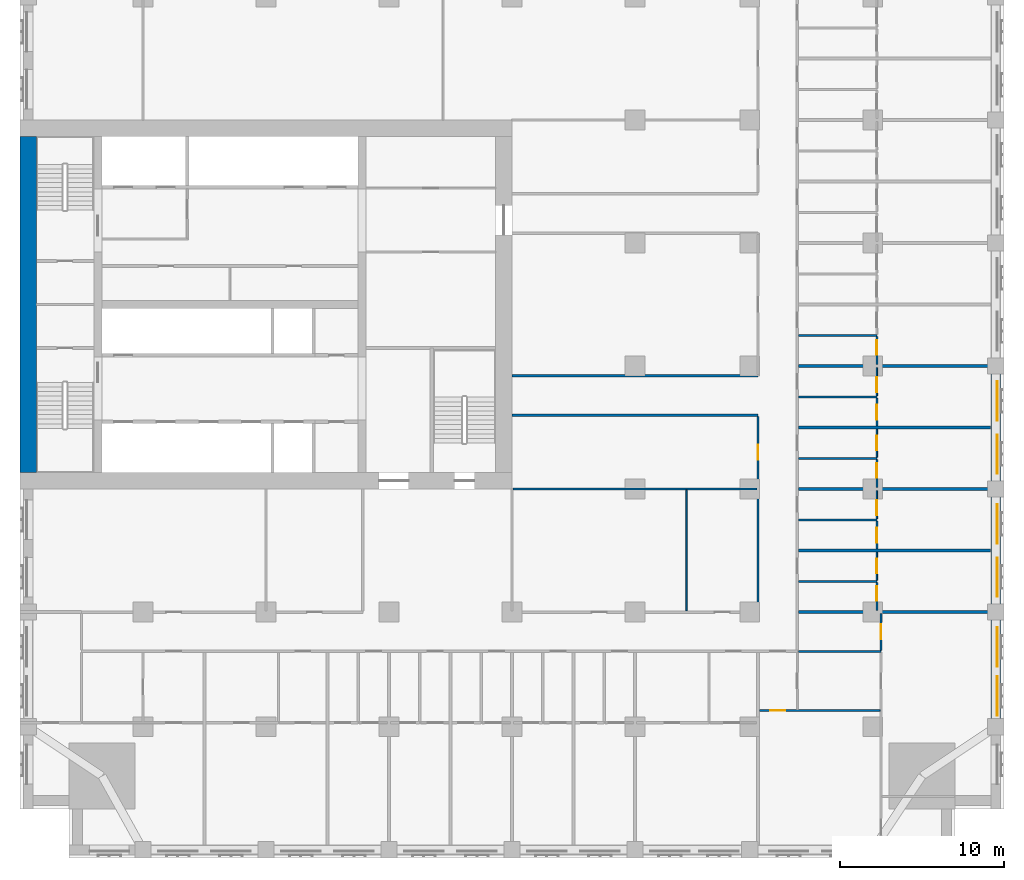
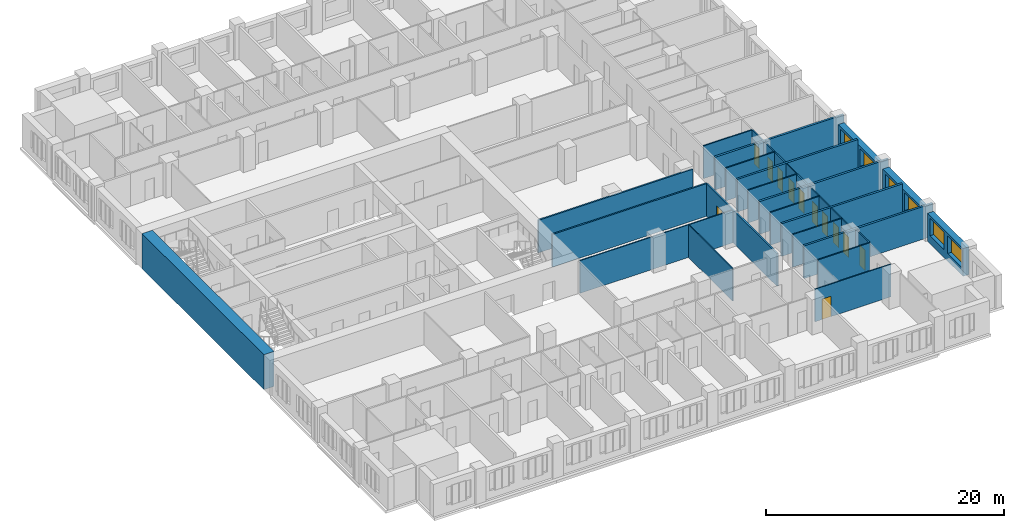
# One storey, part 7 of 15: 31 walls, 12 doors, 6 windows, 18 openings.
"""IFC4 building model written with IfcOpenShell, lengths in metres."""

from ifc_helpers import new_model, si_unit, direction, frame, frame_2d, origin, place, context, subcontext, project, spatial, rectangle, extrude, material, layer, layer_set, type_object, element, fill, save


model = new_model("IFC4")

# Units and contexts
model_context = context("Model", 3, precision=1e-05, world=origin(), true_north=direction((0.0, 1.0)))
body_context = subcontext(model_context, "Body", "Model", "MODEL_VIEW")
ifc_project = project(units=[si_unit("LENGTHUNIT", "METRE"), si_unit("AREAUNIT", "SQUARE_METRE"), si_unit("VOLUMEUNIT", "CUBIC_METRE"), si_unit("PLANEANGLEUNIT", "RADIAN"), si_unit("MASSUNIT", "GRAM", prefix="KILO")], contexts=[model_context])

# Site, building, storey
site_placement = place(None, origin())
site = spatial("IfcSite", under=ifc_project, at=site_placement, CompositionType="ELEMENT")
building_placement = place(site_placement, origin())
building = spatial("IfcBuilding", under=site, at=building_placement, Name="Tamorin Gate", CompositionType="ELEMENT")
storey_placement = place(building_placement, frame((0.0, 0.0, 62.800048828125)))
storey = spatial("IfcBuildingStorey", under=building, at=storey_placement, Name="L14", CompositionType="ELEMENT", Elevation=62.800048828125)

# Wall, openings, windows
ifc_material_1 = material(Name="Precast concrete C40/50", Category="concrete")
ifc_layer_1 = layer(ifc_material_1, 0.60009765625)
ifc_layer_set_1 = layer_set([ifc_layer_1], Name="Precast concrete C40/50")
wall_type_1 = type_object("IfcWallType", Name="Board-marked concrete facade panel 600", PredefinedType="SOLIDWALL", material=ifc_layer_set_1)
wall_1_placement = place(storey_placement, frame((89.5, 46.0, 0.0), z_axis=(0.0, 0.0, 1.0), x_axis=(0.0, 1.0, 0.0)))
wall_1 = element("IfcWall", 1, at=wall_1_placement, inside=storey, type_object=wall_type_1, Name="Facade panel", PredefinedType="SOLIDWALL", context=body_context, shape_type="SweptSolid", body=[
    extrude(rectangle(XDim=6.0, YDim=0.60009765625, at=frame_2d((3.0, 0.0))), origin(), (0.0, 0.0, 1.0), 2.849853515625),
])
opening_1_placement = place(wall_1_placement, frame((0.175048828125, 0.0, 0.800048828125)))
opening_1 = element("IfcOpeningElement", 2, at=opening_1_placement, cuts=wall_1, Name="Opening WN1", PredefinedType="OPENING", context=body_context, shape_type="SweptSolid", body=[
    extrude(rectangle(XDim=2.39990234375, YDim=1.800048828125, at=frame_2d((1.199951171875, 0.89990234375))), frame((0.0, 0.31005859375, 0.0), z_axis=(0.0, -1.0, 0.0), x_axis=(1.0, 0.0, 0.0)), (0.0, 0.0, 1.0), 0.6201171875),
])
opening_2_placement = place(wall_1_placement, frame((3.175048828125, 0.0, 0.800048828125)))
opening_2 = element("IfcOpeningElement", 3, at=opening_2_placement, cuts=wall_1, Name="Opening WN1", PredefinedType="OPENING", context=body_context, shape_type="SweptSolid", body=[
    extrude(rectangle(XDim=2.39990234375, YDim=1.800048828125, at=frame_2d((1.199951171875, 0.89990234375))), frame((0.0, 0.31005859375, 0.0), z_axis=(0.0, -1.0, 0.0), x_axis=(1.0, 0.0, 0.0)), (0.0, 0.0, 1.0), 0.6201171875),
])
ifc_material_2 = material(Name="Clear glass in aluminium frame", Category="aluminium")
window_type = type_object("IfcWindowType", Name="Deep-set window 2400x1800", PartitioningType="SINGLE_PANEL", PredefinedType="WINDOW", material=ifc_material_2)
window_1_placement = place(opening_1_placement, origin())
window_1 = element("IfcWindow", 4, at=window_1_placement, inside=storey, type_object=window_type, Name="Deep-set window", OverallHeight=1.800048828125, OverallWidth=2.39990234375, PartitioningType="SINGLE_PANEL", PredefinedType="WINDOW", context=body_context, shape_type="SweptSolid", body=[
    extrude(rectangle(XDim=2.39990234375, YDim=1.800048828125, at=frame_2d((1.199951171875, 0.89990234375))), frame((0.0, -0.070068359375, 0.0), z_axis=(0.0, -1.0, 0.0), x_axis=(1.0, 0.0, 0.0)), (0.0, 0.0, 1.0), 0.06005859375),
])
fill(opening_1, window_1)
window_2_placement = place(opening_2_placement, origin())
window_2 = element("IfcWindow", 5, at=window_2_placement, inside=storey, type_object=window_type, Name="Deep-set window", OverallHeight=1.800048828125, OverallWidth=2.39990234375, PartitioningType="SINGLE_PANEL", PredefinedType="WINDOW", context=body_context, shape_type="SweptSolid", body=[
    extrude(rectangle(XDim=2.39990234375, YDim=1.800048828125, at=frame_2d((1.199951171875, 0.89990234375))), frame((0.0, -0.070068359375, 0.0), z_axis=(0.0, -1.0, 0.0), x_axis=(1.0, 0.0, 0.0)), (0.0, 0.0, 1.0), 0.06005859375),
])
fill(opening_2, window_2)

wall_2_placement = place(storey_placement, frame((89.5, 53.0, 0.0), z_axis=(0.0, 0.0, 1.0), x_axis=(0.0, 1.0, 0.0)))
wall_2 = element("IfcWall", 6, at=wall_2_placement, inside=storey, type_object=wall_type_1, Name="Facade panel", PredefinedType="SOLIDWALL", context=body_context, shape_type="SweptSolid", body=[
    extrude(rectangle(XDim=6.5, YDim=0.60009765625, at=frame_2d((3.25, 0.0))), origin(), (0.0, 0.0, 1.0), 2.849853515625),
])
opening_3_placement = place(wall_2_placement, frame((0.425048828125, 0.0, 0.800048828125)))
opening_3 = element("IfcOpeningElement", 7, at=opening_3_placement, cuts=wall_2, Name="Opening WN1", PredefinedType="OPENING", context=body_context, shape_type="SweptSolid", body=[
    extrude(rectangle(XDim=2.39990234375, YDim=1.800048828125, at=frame_2d((1.199951171875, 0.89990234375))), frame((0.0, 0.31005859375, 0.0), z_axis=(0.0, -1.0, 0.0), x_axis=(1.0, 0.0, 0.0)), (0.0, 0.0, 1.0), 0.6201171875),
])
opening_4_placement = place(wall_2_placement, frame((3.675048828125, 0.0, 0.800048828125)))
opening_4 = element("IfcOpeningElement", 8, at=opening_4_placement, cuts=wall_2, Name="Opening WN1", PredefinedType="OPENING", context=body_context, shape_type="SweptSolid", body=[
    extrude(rectangle(XDim=2.39990234375, YDim=1.800048828125, at=frame_2d((1.199951171875, 0.89990234375))), frame((0.0, 0.31005859375, 0.0), z_axis=(0.0, -1.0, 0.0), x_axis=(1.0, 0.0, 0.0)), (0.0, 0.0, 1.0), 0.6201171875),
])
window_3_placement = place(opening_3_placement, origin())
window_3 = element("IfcWindow", 9, at=window_3_placement, inside=storey, type_object=window_type, Name="Deep-set window", OverallHeight=1.800048828125, OverallWidth=2.39990234375, PartitioningType="SINGLE_PANEL", PredefinedType="WINDOW", context=body_context, shape_type="SweptSolid", body=[
    extrude(rectangle(XDim=2.39990234375, YDim=1.800048828125, at=frame_2d((1.199951171875, 0.89990234375))), frame((0.0, -0.070068359375, 0.0), z_axis=(0.0, -1.0, 0.0), x_axis=(1.0, 0.0, 0.0)), (0.0, 0.0, 1.0), 0.06005859375),
])
fill(opening_3, window_3)
window_4_placement = place(opening_4_placement, origin())
window_4 = element("IfcWindow", 10, at=window_4_placement, inside=storey, type_object=window_type, Name="Deep-set window", OverallHeight=1.800048828125, OverallWidth=2.39990234375, PartitioningType="SINGLE_PANEL", PredefinedType="WINDOW", context=body_context, shape_type="SweptSolid", body=[
    extrude(rectangle(XDim=2.39990234375, YDim=1.800048828125, at=frame_2d((1.199951171875, 0.89990234375))), frame((0.0, -0.070068359375, 0.0), z_axis=(0.0, -1.0, 0.0), x_axis=(1.0, 0.0, 0.0)), (0.0, 0.0, 1.0), 0.06005859375),
])
fill(opening_4, window_4)

wall_3_placement = place(storey_placement, frame((89.5, 60.5, 0.0), z_axis=(0.0, 0.0, 1.0), x_axis=(0.0, 1.0, 0.0)))
wall_3 = element("IfcWall", 11, at=wall_3_placement, inside=storey, type_object=wall_type_1, Name="Facade panel", PredefinedType="SOLIDWALL", context=body_context, shape_type="SweptSolid", body=[
    extrude(rectangle(XDim=6.5, YDim=0.60009765625, at=frame_2d((3.25, 0.0))), origin(), (0.0, 0.0, 1.0), 2.849853515625),
])
opening_5_placement = place(wall_3_placement, frame((0.425048828125, 0.0, 0.800048828125)))
opening_5 = element("IfcOpeningElement", 12, at=opening_5_placement, cuts=wall_3, Name="Opening WN1", PredefinedType="OPENING", context=body_context, shape_type="SweptSolid", body=[
    extrude(rectangle(XDim=2.39990234375, YDim=1.800048828125, at=frame_2d((1.199951171875, 0.89990234375))), frame((0.0, 0.31005859375, 0.0), z_axis=(0.0, -1.0, 0.0), x_axis=(1.0, 0.0, 0.0)), (0.0, 0.0, 1.0), 0.6201171875),
])
opening_6_placement = place(wall_3_placement, frame((3.675048828125, 0.0, 0.800048828125)))
opening_6 = element("IfcOpeningElement", 13, at=opening_6_placement, cuts=wall_3, Name="Opening WN1", PredefinedType="OPENING", context=body_context, shape_type="SweptSolid", body=[
    extrude(rectangle(XDim=2.39990234375, YDim=1.800048828125, at=frame_2d((1.199951171875, 0.89990234375))), frame((0.0, 0.31005859375, 0.0), z_axis=(0.0, -1.0, 0.0), x_axis=(1.0, 0.0, 0.0)), (0.0, 0.0, 1.0), 0.6201171875),
])
window_5_placement = place(opening_5_placement, origin())
window_5 = element("IfcWindow", 14, at=window_5_placement, inside=storey, type_object=window_type, Name="Deep-set window", OverallHeight=1.800048828125, OverallWidth=2.39990234375, PartitioningType="SINGLE_PANEL", PredefinedType="WINDOW", context=body_context, shape_type="SweptSolid", body=[
    extrude(rectangle(XDim=2.39990234375, YDim=1.800048828125, at=frame_2d((1.199951171875, 0.89990234375))), frame((0.0, -0.070068359375, 0.0), z_axis=(0.0, -1.0, 0.0), x_axis=(1.0, 0.0, 0.0)), (0.0, 0.0, 1.0), 0.06005859375),
])
fill(opening_5, window_5)
window_6_placement = place(opening_6_placement, origin())
window_6 = element("IfcWindow", 15, at=window_6_placement, inside=storey, type_object=window_type, Name="Deep-set window", OverallHeight=1.800048828125, OverallWidth=2.39990234375, PartitioningType="SINGLE_PANEL", PredefinedType="WINDOW", context=body_context, shape_type="SweptSolid", body=[
    extrude(rectangle(XDim=2.39990234375, YDim=1.800048828125, at=frame_2d((1.199951171875, 0.89990234375))), frame((0.0, -0.070068359375, 0.0), z_axis=(0.0, -1.0, 0.0), x_axis=(1.0, 0.0, 0.0)), (0.0, 0.0, 1.0), 0.06005859375),
])
fill(opening_6, window_6)

# Wall, opening, door
ifc_material_3 = material(Name="Gypsum board partition")
ifc_layer_2 = layer(ifc_material_3, 0.14990234375)
ifc_layer_set_2 = layer_set([ifc_layer_2], Name="Corridor wall 150")
wall_type_2 = type_object("IfcWallType", Name="Corridor wall 150", PredefinedType="PARTITIONING", material=ifc_layer_set_2)
wall_4_placement = place(storey_placement, frame((75.0, 52.574951171875, 0.0), z_axis=(0.0, 0.0, 1.0), x_axis=(0.0, 1.0, 0.0)))
wall_4 = element("IfcWall", 16, at=wall_4_placement, inside=storey, type_object=wall_type_2, Name="Corridor wall 150", PredefinedType="PARTITIONING", context=body_context, shape_type="SweptSolid", body=[
    extrude(rectangle(XDim=11.85009765625, YDim=0.14990234375, at=frame_2d((5.925048828125, 0.0))), origin(), (0.0, 0.0, 1.0), 3.349853515625),
])
opening_7_placement = place(wall_4_placement, frame((9.22509765625, 0.0, 0.0)))
opening_7 = element("IfcOpeningElement", 17, at=opening_7_placement, cuts=wall_4, Name="Opening DH1100", PredefinedType="OPENING", context=body_context, shape_type="SweptSolid", body=[
    extrude(rectangle(XDim=0.89990234375, YDim=2.10009765625, at=frame_2d((0.449951171875, 1.050048828125))), frame((0.0, 0.0849609375, 0.0), z_axis=(0.0, -1.0, 0.0), x_axis=(1.0, 0.0, 0.0)), (0.0, 0.0, 1.0), 0.169921875),
])
ifc_material_4 = material(Name="Timber door leaf", Category="wood")
door_type_1 = type_object("IfcDoorType", Name="Door 900 x 2100 FD30S", OperationType="NOTDEFINED", PredefinedType="DOOR", material=ifc_material_4)
door_1_placement = place(opening_7_placement, origin())
door_1 = element("IfcDoor", 18, at=door_1_placement, inside=storey, type_object=door_type_1, Name="Door DH1100", OperationType="SINGLE_SWING_LEFT", OverallHeight=2.10009765625, OverallWidth=0.89990234375, PredefinedType="DOOR", context=body_context, shape_type="SweptSolid", body=[
    extrude(rectangle(XDim=0.89990234375, YDim=2.10009765625, at=frame_2d((0.449951171875, 1.050048828125))), frame((0.0, 0.02490234375, 0.0), z_axis=(0.0, -1.0, 0.0), x_axis=(1.0, 0.0, 0.0)), (0.0, 0.0, 1.0), 0.050048828125),
])
fill(opening_7, door_1)

# Walls
ifc_layer_3 = layer(ifc_material_3, 0.199951171875)
ifc_layer_set_3 = layer_set([ifc_layer_3], Name="Demising wall 200")
wall_type_3 = type_object("IfcWallType", Name="Demising wall 200", PredefinedType="PARTITIONING", material=ifc_layer_set_3)
wall_5_placement = place(storey_placement, frame((77.47509765625, 52.5, 0.0), z_axis=(0.0, 0.0, 1.0), x_axis=(1.0, 0.0, 0.0)))
element("IfcWall", 19, at=wall_5_placement, inside=storey, type_object=wall_type_3, Name="Demising wall 200", PredefinedType="PARTITIONING", context=body_context, shape_type="SweptSolid", body=[
    extrude(rectangle(XDim=12.52490234375, YDim=0.199951171875, at=frame_2d((6.262451171875, 0.0))), origin(), (0.0, 0.0, 1.0), 3.349853515625),
])
wall_6_placement = place(storey_placement, frame((77.47509765625, 56.25, 0.0), z_axis=(0.0, 0.0, 1.0), x_axis=(1.0, 0.0, 0.0)))
element("IfcWall", 20, at=wall_6_placement, inside=storey, type_object=wall_type_3, Name="Demising wall 200", PredefinedType="PARTITIONING", context=body_context, shape_type="SweptSolid", body=[
    extrude(rectangle(XDim=11.71484375, YDim=0.199951171875, at=frame_2d((5.857421875, 0.0))), origin(), (0.0, 0.0, 1.0), 3.349853515625),
])
wall_7_placement = place(storey_placement, frame((77.47509765625, 60.0, 0.0), z_axis=(0.0, 0.0, 1.0), x_axis=(1.0, 0.0, 0.0)))
element("IfcWall", 21, at=wall_7_placement, inside=storey, type_object=wall_type_3, Name="Demising wall 200", PredefinedType="PARTITIONING", context=body_context, shape_type="SweptSolid", body=[
    extrude(rectangle(XDim=12.52490234375, YDim=0.199951171875, at=frame_2d((6.262451171875, 0.0))), origin(), (0.0, 0.0, 1.0), 3.349853515625),
])
wall_8_placement = place(storey_placement, frame((77.47509765625, 63.75, 0.0), z_axis=(0.0, 0.0, 1.0), x_axis=(1.0, 0.0, 0.0)))
element("IfcWall", 22, at=wall_8_placement, inside=storey, type_object=wall_type_3, Name="Demising wall 200", PredefinedType="PARTITIONING", context=body_context, shape_type="SweptSolid", body=[
    extrude(rectangle(XDim=11.71484375, YDim=0.199951171875, at=frame_2d((5.857421875, 0.0))), origin(), (0.0, 0.0, 1.0), 3.349853515625),
])
wall_9_placement = place(storey_placement, frame((77.47509765625, 67.5, 0.0), z_axis=(0.0, 0.0, 1.0), x_axis=(1.0, 0.0, 0.0)))
element("IfcWall", 23, at=wall_9_placement, inside=storey, type_object=wall_type_3, Name="Demising wall 200", PredefinedType="PARTITIONING", context=body_context, shape_type="SweptSolid", body=[
    extrude(rectangle(XDim=12.52490234375, YDim=0.199951171875, at=frame_2d((6.262451171875, 0.0))), origin(), (0.0, 0.0, 1.0), 3.349853515625),
])
ifc_layer_4 = layer(ifc_material_3, 0.14990234375)
ifc_layer_set_4 = layer_set([ifc_layer_4], Name="Lobby wall 150")
wall_type_4 = type_object("IfcWallType", Name="Lobby wall 150", PredefinedType="PARTITIONING", material=ifc_layer_set_4)
for number, where, z_axis, x_axis, name in (
    (24, (60.0, 64.5, 0.0), (0.0, 0.0, 1.0), (1.0, 0.0, 0.0), "Lobby wall 150"),
    (25, (60.0, 66.89990234375, 0.0), (0.0, 0.0, 1.0), (1.0, 0.0, 0.0), "Lobby wall 150"),
):
    element("IfcWall", number, at=place(storey_placement, frame(where, z_axis=z_axis, x_axis=x_axis)), inside=storey, type_object=wall_type_4, Name=name, PredefinedType="PARTITIONING", context=body_context, shape_type="SweptSolid", body=[
        extrude(rectangle(XDim=15.0, YDim=0.14990234375, at=frame_2d((7.5, 0.0))), origin(), (0.0, 0.0, 1.0), 3.349853515625),
    ])
ifc_material_5 = material(Name="Concrete C80/95", Category="concrete")
ifc_layer_5 = layer(ifc_material_5, 1.0)
ifc_layer_set_5 = layer_set([ifc_layer_5], Name="RC core wall 1000 C80/95")
wall_type_5 = type_object("IfcWallType", Name="RC core wall 1000 C80/95", PredefinedType="SHEAR", material=ifc_layer_set_5)
wall_10_placement = place(storey_placement, frame((30.5, 61.0, 0.0), z_axis=(0.0, 0.0, 1.0), x_axis=(0.0, 1.0, 0.0)))
element("IfcWall", 26, at=wall_10_placement, inside=storey, type_object=wall_type_5, Name="Core wall L14", PredefinedType="SHEAR", context=body_context, shape_type="SweptSolid", body=[
    extrude(rectangle(XDim=20.5, YDim=1.0, at=frame_2d((10.25, 0.0))), origin(), (0.0, 0.0, 1.0), 3.599853515625),
])

# Wall, opening, door
ifc_layer_6 = layer(ifc_material_3, 0.10009765625)
ifc_layer_set_6 = layer_set([ifc_layer_6], Name="Room partition 100")
wall_type_6 = type_object("IfcWallType", Name="Room partition 100", PredefinedType="PARTITIONING", material=ifc_layer_set_6)
wall_11_placement = place(storey_placement, frame((75.10009765625, 46.5, 0.0), z_axis=(0.0, 0.0, 1.0), x_axis=(1.0, 0.0, 0.0)))
wall_11 = element("IfcWall", 27, at=wall_11_placement, inside=storey, type_object=wall_type_6, Name="Room partition 100", PredefinedType="PARTITIONING", context=body_context, shape_type="SweptSolid", body=[
    extrude(rectangle(XDim=7.349853515625, YDim=0.10009765625, at=frame_2d((3.6748046875, 0.0))), origin(), (0.0, 0.0, 1.0), 3.349853515625),
])
opening_8_placement = place(wall_11_placement, frame((0.64990234375, 0.0, 0.0)))
opening_8 = element("IfcOpeningElement", 28, at=opening_8_placement, cuts=wall_11, Name="Opening DH1082", PredefinedType="OPENING", context=body_context, shape_type="SweptSolid", body=[
    extrude(rectangle(XDim=0.89990234375, YDim=2.10009765625, at=frame_2d((0.449951171875, 1.050048828125))), frame((0.0, 0.06005859375, 0.0), z_axis=(0.0, -1.0, 0.0), x_axis=(1.0, 0.0, 0.0)), (0.0, 0.0, 1.0), 0.1201171875),
])
door_type_2 = type_object("IfcDoorType", Name="Door 900 x 2100", OperationType="NOTDEFINED", PredefinedType="DOOR", material=ifc_material_4)
door_2_placement = place(opening_8_placement, origin())
door_2 = element("IfcDoor", 29, at=door_2_placement, inside=storey, type_object=door_type_2, Name="Door DH1082", OperationType="SINGLE_SWING_RIGHT", OverallHeight=2.10009765625, OverallWidth=0.89990234375, PredefinedType="DOOR", context=body_context, shape_type="SweptSolid", body=[
    extrude(rectangle(XDim=0.89990234375, YDim=2.10009765625, at=frame_2d((0.449951171875, 1.050048828125))), frame((0.0, 0.02490234375, 0.0), z_axis=(0.0, -1.0, 0.0), x_axis=(1.0, 0.0, 0.0)), (0.0, 0.0, 1.0), 0.050048828125),
])
fill(opening_8, door_2)

# Walls
wall_12_placement = place(storey_placement, frame((60.074951171875, 60.0, 0.0), z_axis=(0.0, 0.0, 1.0), x_axis=(1.0, 0.0, 0.0)))
element("IfcWall", 30, at=wall_12_placement, inside=storey, type_object=wall_type_6, Name="Room partition 100", PredefinedType="PARTITIONING", context=body_context, shape_type="SweptSolid", body=[
    extrude(rectangle(XDim=14.85009765625, YDim=0.10009765625, at=frame_2d((7.425048828125, 0.0))), origin(), (0.0, 0.0, 1.0), 3.349853515625),
])
wall_13_placement = place(storey_placement, frame((70.64990234375, 52.574951171875, 0.0), z_axis=(0.0, 0.0, 1.0), x_axis=(0.0, 1.0, 0.0)))
element("IfcWall", 31, at=wall_13_placement, inside=storey, type_object=wall_type_6, Name="Room partition 100", PredefinedType="PARTITIONING", context=body_context, shape_type="SweptSolid", body=[
    extrude(rectangle(XDim=7.375, YDim=0.10009765625, at=frame_2d((3.6875, 0.0))), origin(), (0.0, 0.0, 1.0), 3.349853515625),
])

# Wall, opening, door
wall_14_placement = place(storey_placement, frame((82.25, 54.4375, 0.0), z_axis=(0.0, 0.0, 1.0), x_axis=(0.0, 1.0, 0.0)))
wall_14 = element("IfcWall", 32, at=wall_14_placement, inside=storey, type_object=wall_type_6, Name="Room partition 100", PredefinedType="PARTITIONING", context=body_context, shape_type="SweptSolid", body=[
    extrude(rectangle(XDim=1.71240234375, YDim=0.10009765625, at=frame_2d((0.856201171875, 0.0))), origin(), (0.0, 0.0, 1.0), 3.349853515625),
])
opening_9_placement = place(wall_14_placement, frame((0.425048828125, 0.0, 0.0)))
opening_9 = element("IfcOpeningElement", 33, at=opening_9_placement, cuts=wall_14, Name="Opening DH1053", PredefinedType="OPENING", context=body_context, shape_type="SweptSolid", body=[
    extrude(rectangle(XDim=0.89990234375, YDim=2.10009765625, at=frame_2d((0.449951171875, 1.050048828125))), frame((0.0, 0.06005859375, 0.0), z_axis=(0.0, -1.0, 0.0), x_axis=(1.0, 0.0, 0.0)), (0.0, 0.0, 1.0), 0.1201171875),
])
door_3_placement = place(opening_9_placement, origin())
door_3 = element("IfcDoor", 34, at=door_3_placement, inside=storey, type_object=door_type_2, Name="Door DH1053", OperationType="SINGLE_SWING_LEFT", OverallHeight=2.10009765625, OverallWidth=0.89990234375, PredefinedType="DOOR", context=body_context, shape_type="SweptSolid", body=[
    extrude(rectangle(XDim=0.89990234375, YDim=2.10009765625, at=frame_2d((0.449951171875, 1.050048828125))), frame((0.0, 0.02490234375, 0.0), z_axis=(0.0, -1.0, 0.0), x_axis=(1.0, 0.0, 0.0)), (0.0, 0.0, 1.0), 0.050048828125),
])
fill(opening_9, door_3)

wall_15_placement = place(storey_placement, frame((82.25, 58.1875, 0.0), z_axis=(0.0, 0.0, 1.0), x_axis=(0.0, 1.0, 0.0)))
wall_15 = element("IfcWall", 35, at=wall_15_placement, inside=storey, type_object=wall_type_6, Name="Room partition 100", PredefinedType="PARTITIONING", context=body_context, shape_type="SweptSolid", body=[
    extrude(rectangle(XDim=1.71240234375, YDim=0.10009765625, at=frame_2d((0.856201171875, 0.0))), origin(), (0.0, 0.0, 1.0), 3.349853515625),
])
opening_10_placement = place(wall_15_placement, frame((0.22509765625, 0.0, 0.0)))
opening_10 = element("IfcOpeningElement", 36, at=opening_10_placement, cuts=wall_15, Name="Opening DH1056", PredefinedType="OPENING", context=body_context, shape_type="SweptSolid", body=[
    extrude(rectangle(XDim=0.89990234375, YDim=2.10009765625, at=frame_2d((0.449951171875, 1.050048828125))), frame((0.0, 0.06005859375, 0.0), z_axis=(0.0, -1.0, 0.0), x_axis=(1.0, 0.0, 0.0)), (0.0, 0.0, 1.0), 0.1201171875),
])
door_4_placement = place(opening_10_placement, origin())
door_4 = element("IfcDoor", 37, at=door_4_placement, inside=storey, type_object=door_type_2, Name="Door DH1056", OperationType="SINGLE_SWING_LEFT", OverallHeight=2.10009765625, OverallWidth=0.89990234375, PredefinedType="DOOR", context=body_context, shape_type="SweptSolid", body=[
    extrude(rectangle(XDim=0.89990234375, YDim=2.10009765625, at=frame_2d((0.449951171875, 1.050048828125))), frame((0.0, 0.02490234375, 0.0), z_axis=(0.0, -1.0, 0.0), x_axis=(1.0, 0.0, 0.0)), (0.0, 0.0, 1.0), 0.050048828125),
])
fill(opening_10, door_4)

wall_16_placement = place(storey_placement, frame((82.25, 61.9375, 0.0), z_axis=(0.0, 0.0, 1.0), x_axis=(0.0, 1.0, 0.0)))
wall_16 = element("IfcWall", 38, at=wall_16_placement, inside=storey, type_object=wall_type_6, Name="Room partition 100", PredefinedType="PARTITIONING", context=body_context, shape_type="SweptSolid", body=[
    extrude(rectangle(XDim=1.71240234375, YDim=0.10009765625, at=frame_2d((0.856201171875, 0.0))), origin(), (0.0, 0.0, 1.0), 3.349853515625),
])
opening_11_placement = place(wall_16_placement, frame((0.425048828125, 0.0, 0.0)))
opening_11 = element("IfcOpeningElement", 39, at=opening_11_placement, cuts=wall_16, Name="Opening DH1059", PredefinedType="OPENING", context=body_context, shape_type="SweptSolid", body=[
    extrude(rectangle(XDim=0.89990234375, YDim=2.10009765625, at=frame_2d((0.449951171875, 1.050048828125))), frame((0.0, 0.06005859375, 0.0), z_axis=(0.0, -1.0, 0.0), x_axis=(1.0, 0.0, 0.0)), (0.0, 0.0, 1.0), 0.1201171875),
])
door_5_placement = place(opening_11_placement, origin())
door_5 = element("IfcDoor", 40, at=door_5_placement, inside=storey, type_object=door_type_2, Name="Door DH1059", OperationType="SINGLE_SWING_LEFT", OverallHeight=2.10009765625, OverallWidth=0.89990234375, PredefinedType="DOOR", context=body_context, shape_type="SweptSolid", body=[
    extrude(rectangle(XDim=0.89990234375, YDim=2.10009765625, at=frame_2d((0.449951171875, 1.050048828125))), frame((0.0, 0.02490234375, 0.0), z_axis=(0.0, -1.0, 0.0), x_axis=(1.0, 0.0, 0.0)), (0.0, 0.0, 1.0), 0.050048828125),
])
fill(opening_11, door_5)

wall_17_placement = place(storey_placement, frame((82.25, 65.6875, 0.0), z_axis=(0.0, 0.0, 1.0), x_axis=(0.0, 1.0, 0.0)))
wall_17 = element("IfcWall", 41, at=wall_17_placement, inside=storey, type_object=wall_type_6, Name="Room partition 100", PredefinedType="PARTITIONING", context=body_context, shape_type="SweptSolid", body=[
    extrude(rectangle(XDim=1.71240234375, YDim=0.10009765625, at=frame_2d((0.856201171875, 0.0))), origin(), (0.0, 0.0, 1.0), 3.349853515625),
])
opening_12_placement = place(wall_17_placement, frame((0.22509765625, 0.0, 0.0)))
opening_12 = element("IfcOpeningElement", 42, at=opening_12_placement, cuts=wall_17, Name="Opening DH1062", PredefinedType="OPENING", context=body_context, shape_type="SweptSolid", body=[
    extrude(rectangle(XDim=0.89990234375, YDim=2.10009765625, at=frame_2d((0.449951171875, 1.050048828125))), frame((0.0, 0.06005859375, 0.0), z_axis=(0.0, -1.0, 0.0), x_axis=(1.0, 0.0, 0.0)), (0.0, 0.0, 1.0), 0.1201171875),
])
door_6_placement = place(opening_12_placement, origin())
door_6 = element("IfcDoor", 43, at=door_6_placement, inside=storey, type_object=door_type_2, Name="Door DH1062", OperationType="SINGLE_SWING_LEFT", OverallHeight=2.10009765625, OverallWidth=0.89990234375, PredefinedType="DOOR", context=body_context, shape_type="SweptSolid", body=[
    extrude(rectangle(XDim=0.89990234375, YDim=2.10009765625, at=frame_2d((0.449951171875, 1.050048828125))), frame((0.0, 0.02490234375, 0.0), z_axis=(0.0, -1.0, 0.0), x_axis=(1.0, 0.0, 0.0)), (0.0, 0.0, 1.0), 0.050048828125),
])
fill(opening_12, door_6)

# Walls
ifc_layer_7 = layer(ifc_material_3, 0.125)
ifc_layer_set_7 = layer_set([ifc_layer_7], Name="Wet wall 125")
wall_type_7 = type_object("IfcWallType", Name="Wet wall 125", PredefinedType="PARTITIONING", material=ifc_layer_set_7)
wall_18_placement = place(storey_placement, frame((77.47509765625, 50.10009765625, 0.0), z_axis=(0.0, 0.0, 1.0), x_axis=(1.0, 0.0, 0.0)))
element("IfcWall", 44, at=wall_18_placement, inside=storey, type_object=wall_type_7, Name="Wet wall 125", PredefinedType="PARTITIONING", context=body_context, shape_type="SweptSolid", body=[
    extrude(rectangle(XDim=5.02490234375, YDim=0.125, at=frame_2d((2.512451171875, 0.0))), origin(), (0.0, 0.0, 1.0), 3.349853515625),
])
for number, where, z_axis, x_axis, name in (
    (45, (77.47509765625, 54.375, 0.0), (0.0, 0.0, 1.0), (1.0, 0.0, 0.0), "Wet wall 125"),
    (46, (77.47509765625, 58.125, 0.0), (0.0, 0.0, 1.0), (1.0, 0.0, 0.0), "Wet wall 125"),
    (47, (77.47509765625, 61.875, 0.0), (0.0, 0.0, 1.0), (1.0, 0.0, 0.0), "Wet wall 125"),
    (48, (77.47509765625, 65.625, 0.0), (0.0, 0.0, 1.0), (1.0, 0.0, 0.0), "Wet wall 125"),
    (49, (77.47509765625, 69.375, 0.0), (0.0, 0.0, 1.0), (1.0, 0.0, 0.0), "Wet wall 125"),
):
    element("IfcWall", number, at=place(storey_placement, frame(where, z_axis=z_axis, x_axis=x_axis)), inside=storey, type_object=wall_type_7, Name=name, PredefinedType="PARTITIONING", context=body_context, shape_type="SweptSolid", body=[
        extrude(rectangle(XDim=4.77490234375, YDim=0.125, at=frame_2d((2.387451171875, 0.0))), origin(), (0.0, 0.0, 1.0), 3.349853515625),
    ])

# Wall, opening, door
wall_19_placement = place(storey_placement, frame((82.25, 52.60009765625, 0.0), z_axis=(0.0, 0.0, 1.0), x_axis=(0.0, 1.0, 0.0)))
wall_19 = element("IfcWall", 50, at=wall_19_placement, inside=storey, type_object=wall_type_7, Name="Wet wall 125", PredefinedType="PARTITIONING", context=body_context, shape_type="SweptSolid", body=[
    extrude(rectangle(XDim=1.71240234375, YDim=0.125, at=frame_2d((0.856201171875, 0.0))), origin(), (0.0, 0.0, 1.0), 3.349853515625),
])
opening_13_placement = place(wall_19_placement, frame((0.58740234375, 0.0, 0.0)))
opening_13 = element("IfcOpeningElement", 51, at=opening_13_placement, cuts=wall_19, Name="Opening DH1051", PredefinedType="OPENING", context=body_context, shape_type="SweptSolid", body=[
    extrude(rectangle(XDim=0.89990234375, YDim=2.10009765625, at=frame_2d((0.449951171875, 1.050048828125))), frame((0.0, 0.072509765625, 0.0), z_axis=(0.0, -1.0, 0.0), x_axis=(1.0, 0.0, 0.0)), (0.0, 0.0, 1.0), 0.14501953125),
])
door_7_placement = place(opening_13_placement, origin())
door_7 = element("IfcDoor", 52, at=door_7_placement, inside=storey, type_object=door_type_2, Name="Door DH1051", OperationType="SINGLE_SWING_RIGHT", OverallHeight=2.10009765625, OverallWidth=0.89990234375, PredefinedType="DOOR", context=body_context, shape_type="SweptSolid", body=[
    extrude(rectangle(XDim=0.89990234375, YDim=2.10009765625, at=frame_2d((0.449951171875, 1.050048828125))), frame((0.0, 0.02490234375, 0.0), z_axis=(0.0, -1.0, 0.0), x_axis=(1.0, 0.0, 0.0)), (0.0, 0.0, 1.0), 0.050048828125),
])
fill(opening_13, door_7)

wall_20_placement = place(storey_placement, frame((82.25, 56.35009765625, 0.0), z_axis=(0.0, 0.0, 1.0), x_axis=(0.0, 1.0, 0.0)))
wall_20 = element("IfcWall", 53, at=wall_20_placement, inside=storey, type_object=wall_type_7, Name="Wet wall 125", PredefinedType="PARTITIONING", context=body_context, shape_type="SweptSolid", body=[
    extrude(rectangle(XDim=1.71240234375, YDim=0.125, at=frame_2d((0.856201171875, 0.0))), origin(), (0.0, 0.0, 1.0), 3.349853515625),
])
opening_14_placement = place(wall_20_placement, frame((0.387451171875, 0.0, 0.0)))
opening_14 = element("IfcOpeningElement", 54, at=opening_14_placement, cuts=wall_20, Name="Opening DH1054", PredefinedType="OPENING", context=body_context, shape_type="SweptSolid", body=[
    extrude(rectangle(XDim=0.89990234375, YDim=2.10009765625, at=frame_2d((0.449951171875, 1.050048828125))), frame((0.0, 0.072509765625, 0.0), z_axis=(0.0, -1.0, 0.0), x_axis=(1.0, 0.0, 0.0)), (0.0, 0.0, 1.0), 0.14501953125),
])
door_8_placement = place(opening_14_placement, origin())
door_8 = element("IfcDoor", 55, at=door_8_placement, inside=storey, type_object=door_type_2, Name="Door DH1054", OperationType="SINGLE_SWING_LEFT", OverallHeight=2.10009765625, OverallWidth=0.89990234375, PredefinedType="DOOR", context=body_context, shape_type="SweptSolid", body=[
    extrude(rectangle(XDim=0.89990234375, YDim=2.10009765625, at=frame_2d((0.449951171875, 1.050048828125))), frame((0.0, 0.02490234375, 0.0), z_axis=(0.0, -1.0, 0.0), x_axis=(1.0, 0.0, 0.0)), (0.0, 0.0, 1.0), 0.050048828125),
])
fill(opening_14, door_8)

wall_21_placement = place(storey_placement, frame((82.25, 60.10009765625, 0.0), z_axis=(0.0, 0.0, 1.0), x_axis=(0.0, 1.0, 0.0)))
wall_21 = element("IfcWall", 56, at=wall_21_placement, inside=storey, type_object=wall_type_7, Name="Wet wall 125", PredefinedType="PARTITIONING", context=body_context, shape_type="SweptSolid", body=[
    extrude(rectangle(XDim=1.71240234375, YDim=0.125, at=frame_2d((0.856201171875, 0.0))), origin(), (0.0, 0.0, 1.0), 3.349853515625),
])
opening_15_placement = place(wall_21_placement, frame((0.58740234375, 0.0, 0.0)))
opening_15 = element("IfcOpeningElement", 57, at=opening_15_placement, cuts=wall_21, Name="Opening DH1057", PredefinedType="OPENING", context=body_context, shape_type="SweptSolid", body=[
    extrude(rectangle(XDim=0.89990234375, YDim=2.10009765625, at=frame_2d((0.449951171875, 1.050048828125))), frame((0.0, 0.072509765625, 0.0), z_axis=(0.0, -1.0, 0.0), x_axis=(1.0, 0.0, 0.0)), (0.0, 0.0, 1.0), 0.14501953125),
])
door_9_placement = place(opening_15_placement, origin())
door_9 = element("IfcDoor", 58, at=door_9_placement, inside=storey, type_object=door_type_2, Name="Door DH1057", OperationType="SINGLE_SWING_RIGHT", OverallHeight=2.10009765625, OverallWidth=0.89990234375, PredefinedType="DOOR", context=body_context, shape_type="SweptSolid", body=[
    extrude(rectangle(XDim=0.89990234375, YDim=2.10009765625, at=frame_2d((0.449951171875, 1.050048828125))), frame((0.0, 0.02490234375, 0.0), z_axis=(0.0, -1.0, 0.0), x_axis=(1.0, 0.0, 0.0)), (0.0, 0.0, 1.0), 0.050048828125),
])
fill(opening_15, door_9)

wall_22_placement = place(storey_placement, frame((82.25, 63.85009765625, 0.0), z_axis=(0.0, 0.0, 1.0), x_axis=(0.0, 1.0, 0.0)))
wall_22 = element("IfcWall", 59, at=wall_22_placement, inside=storey, type_object=wall_type_7, Name="Wet wall 125", PredefinedType="PARTITIONING", context=body_context, shape_type="SweptSolid", body=[
    extrude(rectangle(XDim=1.71240234375, YDim=0.125, at=frame_2d((0.856201171875, 0.0))), origin(), (0.0, 0.0, 1.0), 3.349853515625),
])
opening_16_placement = place(wall_22_placement, frame((0.387451171875, 0.0, 0.0)))
opening_16 = element("IfcOpeningElement", 60, at=opening_16_placement, cuts=wall_22, Name="Opening DH1060", PredefinedType="OPENING", context=body_context, shape_type="SweptSolid", body=[
    extrude(rectangle(XDim=0.89990234375, YDim=2.10009765625, at=frame_2d((0.449951171875, 1.050048828125))), frame((0.0, 0.072509765625, 0.0), z_axis=(0.0, -1.0, 0.0), x_axis=(1.0, 0.0, 0.0)), (0.0, 0.0, 1.0), 0.14501953125),
])
door_10_placement = place(opening_16_placement, origin())
door_10 = element("IfcDoor", 61, at=door_10_placement, inside=storey, type_object=door_type_2, Name="Door DH1060", OperationType="SINGLE_SWING_LEFT", OverallHeight=2.10009765625, OverallWidth=0.89990234375, PredefinedType="DOOR", context=body_context, shape_type="SweptSolid", body=[
    extrude(rectangle(XDim=0.89990234375, YDim=2.10009765625, at=frame_2d((0.449951171875, 1.050048828125))), frame((0.0, 0.02490234375, 0.0), z_axis=(0.0, -1.0, 0.0), x_axis=(1.0, 0.0, 0.0)), (0.0, 0.0, 1.0), 0.050048828125),
])
fill(opening_16, door_10)

wall_23_placement = place(storey_placement, frame((82.25, 67.60009765625, 0.0), z_axis=(0.0, 0.0, 1.0), x_axis=(0.0, 1.0, 0.0)))
wall_23 = element("IfcWall", 62, at=wall_23_placement, inside=storey, type_object=wall_type_7, Name="Wet wall 125", PredefinedType="PARTITIONING", context=body_context, shape_type="SweptSolid", body=[
    extrude(rectangle(XDim=1.71240234375, YDim=0.125, at=frame_2d((0.856201171875, 0.0))), origin(), (0.0, 0.0, 1.0), 3.349853515625),
])
opening_17_placement = place(wall_23_placement, frame((0.58740234375, 0.0, 0.0)))
opening_17 = element("IfcOpeningElement", 63, at=opening_17_placement, cuts=wall_23, Name="Opening DH1063", PredefinedType="OPENING", context=body_context, shape_type="SweptSolid", body=[
    extrude(rectangle(XDim=0.89990234375, YDim=2.10009765625, at=frame_2d((0.449951171875, 1.050048828125))), frame((0.0, 0.072509765625, 0.0), z_axis=(0.0, -1.0, 0.0), x_axis=(1.0, 0.0, 0.0)), (0.0, 0.0, 1.0), 0.14501953125),
])
door_11_placement = place(opening_17_placement, origin())
door_11 = element("IfcDoor", 64, at=door_11_placement, inside=storey, type_object=door_type_2, Name="Door DH1063", OperationType="SINGLE_SWING_RIGHT", OverallHeight=2.10009765625, OverallWidth=0.89990234375, PredefinedType="DOOR", context=body_context, shape_type="SweptSolid", body=[
    extrude(rectangle(XDim=0.89990234375, YDim=2.10009765625, at=frame_2d((0.449951171875, 1.050048828125))), frame((0.0, 0.02490234375, 0.0), z_axis=(0.0, -1.0, 0.0), x_axis=(1.0, 0.0, 0.0)), (0.0, 0.0, 1.0), 0.050048828125),
])
fill(opening_17, door_11)

wall_24_placement = place(storey_placement, frame((82.5, 50.16259765625, 0.0), z_axis=(0.0, 0.0, 1.0), x_axis=(0.0, 1.0, 0.0)))
wall_24 = element("IfcWall", 65, at=wall_24_placement, inside=storey, type_object=wall_type_7, Name="Wet wall 125", PredefinedType="PARTITIONING", context=body_context, shape_type="SweptSolid", body=[
    extrude(rectangle(XDim=2.2373046875, YDim=0.125, at=frame_2d((1.11865234375, 0.0))), origin(), (0.0, 0.0, 1.0), 3.349853515625),
])
opening_18_placement = place(wall_24_placement, frame((0.6875, 0.0, 0.0)))
opening_18 = element("IfcOpeningElement", 66, at=opening_18_placement, cuts=wall_24, Name="Opening DH1086", PredefinedType="OPENING", context=body_context, shape_type="SweptSolid", body=[
    extrude(rectangle(XDim=0.89990234375, YDim=2.10009765625, at=frame_2d((0.449951171875, 1.050048828125))), frame((0.0, 0.072509765625, 0.0), z_axis=(0.0, -1.0, 0.0), x_axis=(1.0, 0.0, 0.0)), (0.0, 0.0, 1.0), 0.14501953125),
])
door_12_placement = place(opening_18_placement, origin())
door_12 = element("IfcDoor", 67, at=door_12_placement, inside=storey, type_object=door_type_2, Name="Door DH1086", OperationType="SINGLE_SWING_LEFT", OverallHeight=2.10009765625, OverallWidth=0.89990234375, PredefinedType="DOOR", context=body_context, shape_type="SweptSolid", body=[
    extrude(rectangle(XDim=0.89990234375, YDim=2.10009765625, at=frame_2d((0.449951171875, 1.050048828125))), frame((0.0, 0.02490234375, 0.0), z_axis=(0.0, -1.0, 0.0), x_axis=(1.0, 0.0, 0.0)), (0.0, 0.0, 1.0), 0.050048828125),
])
fill(opening_18, door_12)

save(model, "model.ifc")
